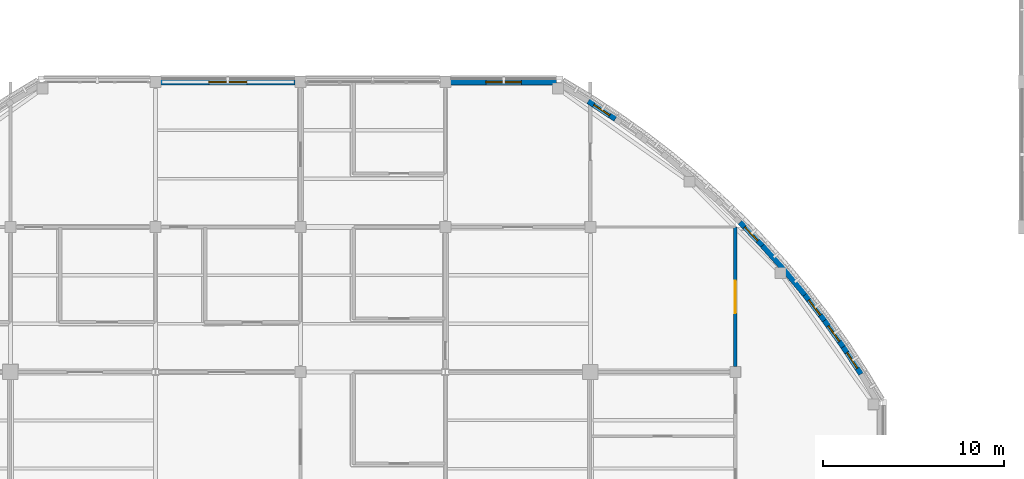
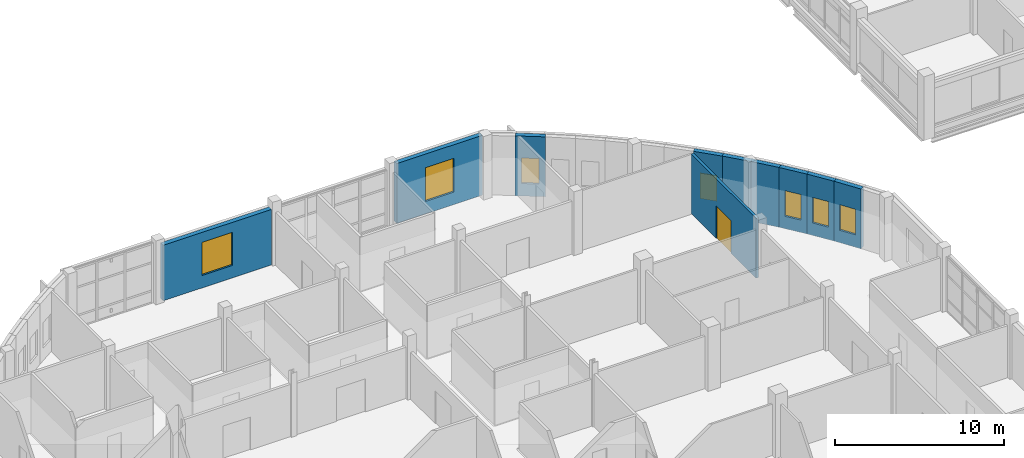
# One storey, part 91 of 121: 10 walls, 7 windows, 1 door, 8 openings.
"""IFC4 building model written with IfcOpenShell, lengths in metres."""

from ifc_helpers import new_model, si_unit, derived_unit, direction, frame, frame_2d, origin, place, context, subcontext, project, spatial, rectangle, extrude, material, layer, layer_set, type_object, element, fill, save


model = new_model("IFC4")

# Units and contexts
model_context = context("Model", 3, precision=1e-05, world=origin(), true_north=direction((0.0, 1.0)))
body_context = subcontext(model_context, "Body", "Model", "MODEL_VIEW")
ifc_project = project(units=[si_unit("LENGTHUNIT", "METRE"), si_unit("AREAUNIT", "SQUARE_METRE"), si_unit("VOLUMEUNIT", "CUBIC_METRE"), si_unit("PLANEANGLEUNIT", "RADIAN"), si_unit("MASSUNIT", "GRAM", prefix="KILO"), derived_unit("THERMALTRANSMITTANCEUNIT", [(si_unit("MASSUNIT", "GRAM", prefix="KILO"), 1), (si_unit("TIMEUNIT", "SECOND"), -3), (si_unit("THERMODYNAMICTEMPERATUREUNIT", "KELVIN"), -1)])], contexts=[model_context])

# Site, building, storey
site_placement = place(None, origin())
site = spatial("IfcSite", under=ifc_project, at=site_placement, CompositionType="ELEMENT")
building_placement = place(site_placement, origin())
building = spatial("IfcBuilding", under=site, at=building_placement, Name="Veyamyaing Civic Hall", CompositionType="ELEMENT")
storey_placement = place(building_placement, frame((0.0, 0.0, 5.280029296875)))
storey = spatial("IfcBuildingStorey", under=building, at=storey_placement, Name="L01", CompositionType="ELEMENT", Elevation=5.280029296875)

# Wall, opening, window
ifc_material_1 = material(Name="Precast concrete C40/50", Category="concrete")
ifc_layer_1 = layer(ifc_material_1, 0.304931640625, Name="Precast concrete C40/50")
ifc_layer_set_1 = layer_set([ifc_layer_1], Name="Precast concrete C40/50")
wall_type_1 = type_object("IfcWallType", Name="WT-03", PredefinedType="SOLIDWALL", material=ifc_layer_set_1)
wall_1_placement = place(storey_placement, frame((118.94384765625, 79.88330078125, 0.0), z_axis=(0.0, 0.0, 1.0), x_axis=(-0.547681678944, 0.836686786408, 0.0)))
wall_1 = element("IfcWall", 1, at=wall_1_placement, inside=storey, type_object=wall_type_1, Name="Curved corner facade wall WT-03 L01 NE.2", PredefinedType="SOLIDWALL", context=body_context, shape_type="SweptSolid", body=[
    extrude(rectangle(XDim=1.795166015625, YDim=0.304931640625, at=frame_2d((0.8974609375, 0.0))), origin(), (0.0, 0.0, 1.0), 4.3349609375),
])
opening_1_placement = place(wall_1_placement, frame((0.37255859375, 0.0, 0.89990234375)))
opening_1 = element("IfcOpeningElement", 2, at=opening_1_placement, cuts=wall_1, Name="Opening W-16", PredefinedType="OPENING", context=body_context, shape_type="SweptSolid", body=[
    extrude(rectangle(XDim=1.050048828125, YDim=1.85009765625, at=frame_2d((0.52490234375, 0.925048828125))), frame((0.0, 0.162353515625, 0.0), z_axis=(0.0, -1.0, 0.0), x_axis=(1.0, 0.0, 0.0)), (0.0, 0.0, 1.0), 0.324951171875),
])
ifc_material_2 = material(Name="Low-E insulated glass", Category="glass")
window_type_1 = type_object("IfcWindowType", Name="W-16", PartitioningType="SINGLE_PANEL", PredefinedType="WINDOW", material=ifc_material_2)
window_1_placement = place(opening_1_placement, origin())
window_1 = element("IfcWindow", 3, at=window_1_placement, inside=storey, type_object=window_type_1, Name="Curved ribbon window W-16 L01 NE.2", OverallHeight=1.85009765625, OverallWidth=1.050048828125, PartitioningType="SINGLE_PANEL", PredefinedType="WINDOW", context=body_context, shape_type="SweptSolid", body=[
    extrude(rectangle(XDim=1.050048828125, YDim=1.85009765625, at=frame_2d((0.52490234375, 0.925048828125))), frame((0.0, 0.030029296875, 0.0), z_axis=(0.0, -1.0, 0.0), x_axis=(1.0, 0.0, 0.0)), (0.0, 0.0, 1.0), 0.06005859375),
])
fill(opening_1, window_1)

wall_2_placement = place(storey_placement, frame((117.9638671875, 81.38037109375, 0.0), z_axis=(0.0, 0.0, 1.0), x_axis=(-0.578662393636, 0.815567185578, 0.0)))
wall_2 = element("IfcWall", 4, at=wall_2_placement, inside=storey, type_object=wall_type_1, Name="Curved corner facade wall WT-03 L01 NE.3", PredefinedType="SOLIDWALL", context=body_context, shape_type="SweptSolid", body=[
    extrude(rectangle(XDim=1.795166015625, YDim=0.304931640625, at=frame_2d((0.8974609375, 0.0))), origin(), (0.0, 0.0, 1.0), 4.3349609375),
])
opening_2_placement = place(wall_2_placement, frame((0.37255859375, 0.0, 0.89990234375)))
opening_2 = element("IfcOpeningElement", 5, at=opening_2_placement, cuts=wall_2, Name="Opening W-16", PredefinedType="OPENING", context=body_context, shape_type="SweptSolid", body=[
    extrude(rectangle(XDim=1.050048828125, YDim=1.85009765625, at=frame_2d((0.52490234375, 0.925048828125))), frame((0.0, 0.162353515625, 0.0), z_axis=(0.0, -1.0, 0.0), x_axis=(1.0, 0.0, 0.0)), (0.0, 0.0, 1.0), 0.324951171875),
])
window_2_placement = place(opening_2_placement, origin())
window_2 = element("IfcWindow", 6, at=window_2_placement, inside=storey, type_object=window_type_1, Name="Curved ribbon window W-16 L01 NE.3", OverallHeight=1.85009765625, OverallWidth=1.050048828125, PartitioningType="SINGLE_PANEL", PredefinedType="WINDOW", context=body_context, shape_type="SweptSolid", body=[
    extrude(rectangle(XDim=1.050048828125, YDim=1.85009765625, at=frame_2d((0.52490234375, 0.925048828125))), frame((0.0, 0.030029296875, 0.0), z_axis=(0.0, -1.0, 0.0), x_axis=(1.0, 0.0, 0.0)), (0.0, 0.0, 1.0), 0.06005859375),
])
fill(opening_2, window_2)

wall_3_placement = place(storey_placement, frame((116.928466796875, 82.83984375, 0.0), z_axis=(0.0, 0.0, 1.0), x_axis=(-0.608776981616, 0.793341406114, 0.0)))
wall_3 = element("IfcWall", 7, at=wall_3_placement, inside=storey, type_object=wall_type_1, Name="Curved corner facade wall WT-03 L01 NE.4", PredefinedType="SOLIDWALL", context=body_context, shape_type="SweptSolid", body=[
    extrude(rectangle(XDim=1.794921875, YDim=0.304931640625, at=frame_2d((0.8974609375, 0.0))), origin(), (0.0, 0.0, 1.0), 4.3349609375),
])
opening_3_placement = place(wall_3_placement, frame((0.37255859375, 0.0, 0.89990234375)))
opening_3 = element("IfcOpeningElement", 8, at=opening_3_placement, cuts=wall_3, Name="Opening W-16", PredefinedType="OPENING", context=body_context, shape_type="SweptSolid", body=[
    extrude(rectangle(XDim=1.050048828125, YDim=1.85009765625, at=frame_2d((0.52490234375, 0.925048828125))), frame((0.0, 0.162353515625, 0.0), z_axis=(0.0, -1.0, 0.0), x_axis=(1.0, 0.0, 0.0)), (0.0, 0.0, 1.0), 0.324951171875),
])
window_3_placement = place(opening_3_placement, origin())
window_3 = element("IfcWindow", 9, at=window_3_placement, inside=storey, type_object=window_type_1, Name="Curved ribbon window W-16 L01 NE.4", OverallHeight=1.85009765625, OverallWidth=1.050048828125, PartitioningType="SINGLE_PANEL", PredefinedType="WINDOW", context=body_context, shape_type="SweptSolid", body=[
    extrude(rectangle(XDim=1.050048828125, YDim=1.85009765625, at=frame_2d((0.52490234375, 0.925048828125))), frame((0.0, 0.030029296875, 0.0), z_axis=(0.0, -1.0, 0.0), x_axis=(1.0, 0.0, 0.0)), (0.0, 0.0, 1.0), 0.06005859375),
])
fill(opening_3, window_3)

# Walls
wall_4_placement = place(storey_placement, frame((115.83935546875, 84.259521484375, 0.0), z_axis=(0.0, 0.0, 1.0), x_axis=(-0.638054732073, 0.769991012207, 0.0)))
element("IfcWall", 10, at=wall_4_placement, inside=storey, type_object=wall_type_1, Name="Curved corner facade wall WT-03 L01 NE.5", PredefinedType="SOLIDWALL", context=body_context, shape_type="SweptSolid", body=[
    extrude(rectangle(XDim=1.794921875, YDim=0.304931640625, at=frame_2d((0.8974609375, 0.0))), origin(), (0.0, 0.0, 1.0), 4.3349609375),
])
wall_5_placement = place(storey_placement, frame((114.69775390625, 85.63720703125, 0.0), z_axis=(0.0, 0.0, 1.0), x_axis=(-0.666277888361, 0.745703543965, 0.0)))
element("IfcWall", 11, at=wall_5_placement, inside=storey, type_object=wall_type_1, Name="Curved corner facade wall WT-03 L01 NE.6", PredefinedType="SOLIDWALL", context=body_context, shape_type="SweptSolid", body=[
    extrude(rectangle(XDim=1.795166015625, YDim=0.304931640625, at=frame_2d((0.8974609375, 0.0))), origin(), (0.0, 0.0, 1.0), 4.3349609375),
])

# Wall, opening, window
wall_6_placement = place(storey_placement, frame((113.505615234375, 86.971435546875, 0.0), z_axis=(0.0, 0.0, 1.0), x_axis=(-0.693722700342, 0.720242191926, 0.0)))
wall_6 = element("IfcWall", 12, at=wall_6_placement, inside=storey, type_object=wall_type_1, Name="Curved corner facade wall WT-03 L01 NE.7", PredefinedType="SOLIDWALL", context=body_context, shape_type="SweptSolid", body=[
    extrude(rectangle(XDim=1.795166015625, YDim=0.304931640625, at=frame_2d((0.8974609375, 0.0))), origin(), (0.0, 0.0, 1.0), 4.3349609375),
])
opening_4_placement = place(wall_6_placement, frame((0.37255859375, 0.0, 0.89990234375)))
opening_4 = element("IfcOpeningElement", 13, at=opening_4_placement, cuts=wall_6, Name="Opening W-16", PredefinedType="OPENING", context=body_context, shape_type="SweptSolid", body=[
    extrude(rectangle(XDim=1.050048828125, YDim=1.85009765625, at=frame_2d((0.52490234375, 0.925048828125))), frame((0.0, 0.162353515625, 0.0), z_axis=(0.0, -1.0, 0.0), x_axis=(1.0, 0.0, 0.0)), (0.0, 0.0, 1.0), 0.324951171875),
])
window_4_placement = place(opening_4_placement, origin())
window_4 = element("IfcWindow", 14, at=window_4_placement, inside=storey, type_object=window_type_1, Name="Curved ribbon window W-16 L01 NE.7", OverallHeight=1.85009765625, OverallWidth=1.050048828125, PartitioningType="SINGLE_PANEL", PredefinedType="WINDOW", context=body_context, shape_type="SweptSolid", body=[
    extrude(rectangle(XDim=1.050048828125, YDim=1.85009765625, at=frame_2d((0.52490234375, 0.925048828125))), frame((0.0, 0.030029296875, 0.0), z_axis=(0.0, -1.0, 0.0), x_axis=(1.0, 0.0, 0.0)), (0.0, 0.0, 1.0), 0.06005859375),
])
fill(opening_4, window_4)

wall_7_placement = place(storey_placement, frame((105.38525390625, 93.960693359375, 0.0), z_axis=(0.0, 0.0, 1.0), x_axis=(-0.836686786408, 0.547681678944, 0.0)))
wall_7 = element("IfcWall", 15, at=wall_7_placement, inside=storey, type_object=wall_type_1, Name="Curved corner facade wall WT-03 L01 NE.13", PredefinedType="SOLIDWALL", context=body_context, shape_type="SweptSolid", body=[
    extrude(rectangle(XDim=1.795166015625, YDim=0.304931640625, at=frame_2d((0.8974609375, 0.0))), origin(), (0.0, 0.0, 1.0), 4.3349609375),
])
opening_5_placement = place(wall_7_placement, frame((0.37255859375, 0.0, 0.89990234375)))
opening_5 = element("IfcOpeningElement", 16, at=opening_5_placement, cuts=wall_7, Name="Opening W-16", PredefinedType="OPENING", context=body_context, shape_type="SweptSolid", body=[
    extrude(rectangle(XDim=1.050048828125, YDim=1.85009765625, at=frame_2d((0.52490234375, 0.925048828125))), frame((0.0, 0.162353515625, 0.0), z_axis=(0.0, -1.0, 0.0), x_axis=(1.0, 0.0, 0.0)), (0.0, 0.0, 1.0), 0.324951171875),
])
window_5_placement = place(opening_5_placement, origin())
window_5 = element("IfcWindow", 17, at=window_5_placement, inside=storey, type_object=window_type_1, Name="Curved ribbon window W-16 L01 NE.13", OverallHeight=1.85009765625, OverallWidth=1.050048828125, PartitioningType="SINGLE_PANEL", PredefinedType="WINDOW", context=body_context, shape_type="SweptSolid", body=[
    extrude(rectangle(XDim=1.050048828125, YDim=1.85009765625, at=frame_2d((0.52490234375, 0.925048828125))), frame((0.0, 0.030029296875, 0.0), z_axis=(0.0, -1.0, 0.0), x_axis=(1.0, 0.0, 0.0)), (0.0, 0.0, 1.0), 0.06005859375),
])
fill(opening_5, window_5)

wall_8_placement = place(storey_placement, frame((80.284912109375, 96.0, 0.0), z_axis=(0.0, 0.0, 1.0), x_axis=(1.0, 0.0, 0.0)))
wall_8 = element("IfcWall", 18, at=wall_8_placement, inside=storey, type_object=wall_type_1, Name="Exterior facade wall WT-03 L01 N 11.12", PredefinedType="SOLIDWALL", context=body_context, shape_type="SweptSolid", body=[
    extrude(rectangle(XDim=7.43017578125, YDim=0.304931640625, at=frame_2d((3.715087890625, 0.0))), origin(), (0.0, 0.0, 1.0), 4.02197265625),
])
opening_6_placement = place(wall_8_placement, frame((2.6650390625, 0.0, 0.89990234375)))
opening_6 = element("IfcOpeningElement", 19, at=opening_6_placement, cuts=wall_8, Name="Opening W-05", PredefinedType="OPENING", context=body_context, shape_type="SweptSolid", body=[
    extrude(rectangle(XDim=2.10009765625, YDim=2.39990234375, at=frame_2d((1.050048828125, 1.199951171875))), frame((0.0, 0.162353515625, 0.0), z_axis=(0.0, -1.0, 0.0), x_axis=(1.0, 0.0, 0.0)), (0.0, 0.0, 1.0), 0.324951171875),
])
window_type_2 = type_object("IfcWindowType", Name="W-05", PartitioningType="SINGLE_PANEL", PredefinedType="WINDOW", material=ifc_material_2)
window_6_placement = place(opening_6_placement, origin())
window_6 = element("IfcWindow", 20, at=window_6_placement, inside=storey, type_object=window_type_2, Name="Facade window W-05 L01 N 11.12", OverallHeight=2.39990234375, OverallWidth=2.10009765625, PartitioningType="SINGLE_PANEL", PredefinedType="WINDOW", context=body_context, shape_type="SweptSolid", body=[
    extrude(rectangle(XDim=2.10009765625, YDim=2.39990234375, at=frame_2d((1.050048828125, 1.199951171875))), frame((0.0, 0.030029296875, 0.0), z_axis=(0.0, -1.0, 0.0), x_axis=(1.0, 0.0, 0.0)), (0.0, 0.0, 1.0), 0.06005859375),
])
fill(opening_6, window_6)

wall_9_placement = place(storey_placement, frame((96.284912109375, 96.0, 0.0), z_axis=(0.0, 0.0, 1.0), x_axis=(1.0, 0.0, 0.0)))
wall_9 = element("IfcWall", 21, at=wall_9_placement, inside=storey, type_object=wall_type_1, Name="Exterior facade wall WT-03 L01 N 13.12", PredefinedType="SOLIDWALL", context=body_context, shape_type="SweptSolid", body=[
    extrude(rectangle(XDim=5.86083984375, YDim=0.304931640625, at=frame_2d((2.930419921875, 0.0))), origin(), (0.0, 0.0, 1.0), 4.3349609375),
])
opening_7_placement = place(wall_9_placement, frame((1.955322265625, 0.0, 0.89990234375)))
opening_7 = element("IfcOpeningElement", 22, at=opening_7_placement, cuts=wall_9, Name="Opening W-26", PredefinedType="OPENING", context=body_context, shape_type="SweptSolid", body=[
    extrude(rectangle(XDim=1.949951171875, YDim=2.449951171875, at=frame_2d((0.97509765625, 1.22509765625))), frame((0.0, 0.162353515625, 0.0), z_axis=(0.0, -1.0, 0.0), x_axis=(1.0, 0.0, 0.0)), (0.0, 0.0, 1.0), 0.324951171875),
])
window_type_3 = type_object("IfcWindowType", Name="W-26", PartitioningType="SINGLE_PANEL", PredefinedType="WINDOW", material=ifc_material_2)
window_7_placement = place(opening_7_placement, origin())
window_7 = element("IfcWindow", 23, at=window_7_placement, inside=storey, type_object=window_type_3, Name="Facade window W-26 L01 N 13.12", OverallHeight=2.449951171875, OverallWidth=1.949951171875, PartitioningType="SINGLE_PANEL", PredefinedType="WINDOW", context=body_context, shape_type="SweptSolid", body=[
    extrude(rectangle(XDim=1.949951171875, YDim=2.449951171875, at=frame_2d((0.97509765625, 1.22509765625))), frame((0.0, 0.030029296875, 0.0), z_axis=(0.0, -1.0, 0.0), x_axis=(1.0, 0.0, 0.0)), (0.0, 0.0, 1.0), 0.06005859375),
])
fill(opening_7, window_7)

# Wall, opening, door
ifc_material_3 = material(Name="Gypsum board on acoustic steel stud", Category="steel")
ifc_layer_2 = layer(ifc_material_3, 0.175048828125, Name="Gypsum board on acoustic steel stud")
ifc_layer_set_2 = layer_set([ifc_layer_2], Name="Gypsum board on acoustic steel stud")
wall_type_2 = type_object("IfcWallType", Name="WT-07", PredefinedType="PARTITIONING", material=ifc_layer_set_2)
wall_10_placement = place(storey_placement, frame((112.0, 80.2900390625, 0.0), z_axis=(0.0, 0.0, 1.0), x_axis=(0.0, 1.0, 0.0)))
wall_10 = element("IfcWall", 24, at=wall_10_placement, inside=storey, type_object=wall_type_2, Name="Interior partition wall WT-07 L01.91", PredefinedType="PARTITIONING", context=body_context, shape_type="SweptSolid", body=[
    extrude(rectangle(XDim=7.7099609375, YDim=0.175048828125, at=frame_2d((3.85498046875, 0.0))), origin(), (0.0, 0.0, 1.0), 4.324951171875),
])
opening_8_placement = place(wall_10_placement, frame((2.955078125, 0.0, 0.0)))
opening_8 = element("IfcOpeningElement", 25, at=opening_8_placement, cuts=wall_10, Name="Opening D-08", PredefinedType="OPENING", context=body_context, shape_type="SweptSolid", body=[
    extrude(rectangle(XDim=1.800048828125, YDim=2.35009765625, at=frame_2d((0.89990234375, 1.175048828125))), frame((0.0, 0.097412109375, 0.0), z_axis=(0.0, -1.0, 0.0), x_axis=(1.0, 0.0, 0.0)), (0.0, 0.0, 1.0), 0.195068359375),
])
ifc_material_4 = material(Name="Teak-veneered acoustic timber", Category="wood")
door_type = type_object("IfcDoorType", Name="D-08", OperationType="DOUBLE_DOOR_SINGLE_SWING", PredefinedType="DOOR", material=ifc_material_4)
door_placement = place(opening_8_placement, origin())
door = element("IfcDoor", 26, at=door_placement, inside=storey, type_object=door_type, Name="Interior door D-08 L01.91", OperationType="DOUBLE_DOOR_SINGLE_SWING", OverallHeight=2.35009765625, OverallWidth=1.800048828125, PredefinedType="DOOR", context=body_context, shape_type="SweptSolid", body=[
    extrude(rectangle(XDim=1.800048828125, YDim=2.35009765625, at=frame_2d((0.89990234375, 1.175048828125))), frame((0.0, 0.02490234375, 0.0), z_axis=(0.0, -1.0, 0.0), x_axis=(1.0, 0.0, 0.0)), (0.0, 0.0, 1.0), 0.050048828125),
])
fill(opening_8, door)

save(model, "model.ifc")
